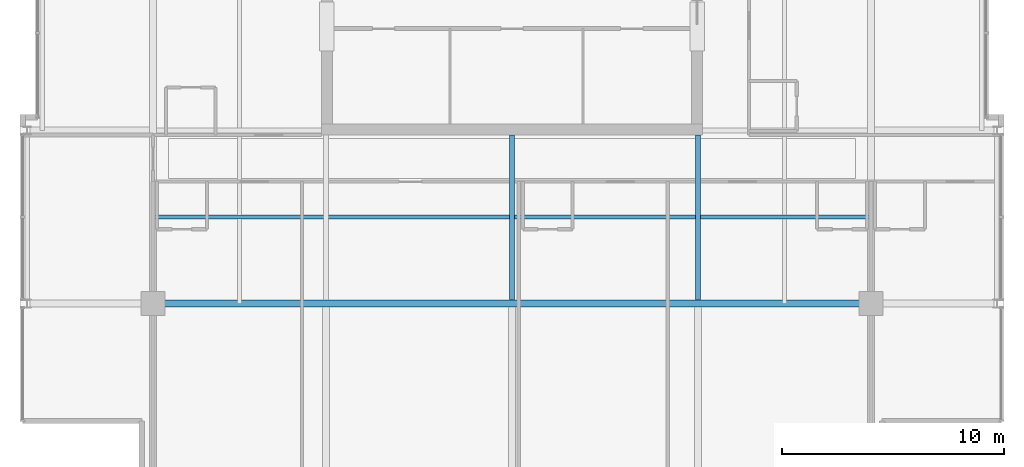
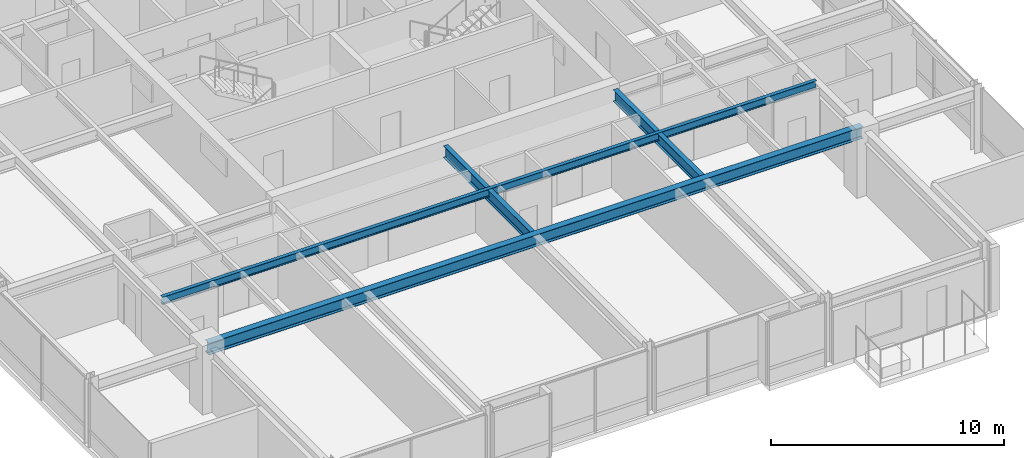
# One storey, part 9 of 31: 4 beams.
"""IFC4 building model written with IfcOpenShell, lengths in metres."""

from ifc_helpers import new_model, si_unit, direction, frame, origin, origin_2d, place, context, subcontext, project, spatial, i_section, extrude, material, material_profile, profile_set, type_object, element, save


model = new_model("IFC4")

# Units and contexts
model_context = context("Model", 3, precision=1e-05, world=origin(), true_north=direction((0.0, 1.0)))
body_context = subcontext(model_context, "Body", "Model", "MODEL_VIEW")
ifc_project = project(units=[si_unit("LENGTHUNIT", "METRE"), si_unit("AREAUNIT", "SQUARE_METRE"), si_unit("VOLUMEUNIT", "CUBIC_METRE"), si_unit("PLANEANGLEUNIT", "RADIAN"), si_unit("MASSUNIT", "GRAM", prefix="KILO")], contexts=[model_context])

# Site, building, storey
site_placement = place(None, origin())
site = spatial("IfcSite", under=ifc_project, at=site_placement, CompositionType="ELEMENT")
building_placement = place(site_placement, origin())
building = spatial("IfcBuilding", under=site, at=building_placement, Name="Drelvath Grand Hotel", CompositionType="ELEMENT")
storey_placement = place(building_placement, frame((0.0, 0.0, 244.699951171875)))
storey = spatial("IfcBuildingStorey", under=building, at=storey_placement, Name="L64", CompositionType="ELEMENT", Elevation=244.699951171875)

# Beams
ifc_material = material(Name="Steel ASTM A992 Gr 50", Category="steel")
ifc_material_profile_1 = material_profile(ifc_material, i_section(OverallWidth=0.177734375, OverallDepth=0.40673828125, WebThickness=0.0078125, FlangeThickness=0.0126953125, FilletRadius=0.014892578125, at=origin_2d()), Name="W16X40")
ifc_profile_set_1 = profile_set([ifc_material_profile_1], Name="Steel ASTM A992 Gr 50")
beam_type_1 = type_object("IfcBeamType", Name="Composite Floor Joist W16X40", PredefinedType="JOIST", material=ifc_profile_set_1)
beam_1_placement = place(storey_placement, frame((-16.199951171875, 14.699951171875, 3.13671875), z_axis=(1.0, 0.0, 0.0), x_axis=(0.0, 1.0, 0.0)))
element("IfcBeam", 1, at=beam_1_placement, inside=storey, type_object=beam_type_1, Name="L64 Floor Joist J1", PredefinedType="JOIST", context=body_context, shape_type="SweptSolid", body=[
    extrude(i_section(OverallWidth=0.177734375, OverallDepth=0.40673828125, WebThickness=0.0078125, FlangeThickness=0.0126953125, FilletRadius=0.014892578125, at=origin_2d()), origin(), (0.0, 0.0, 1.0), 32.39990234375),
])
ifc_material_profile_2 = material_profile(ifc_material, i_section(OverallWidth=0.323974609375, OverallDepth=0.611083984375, WebThickness=0.0126953125, FlangeThickness=0.01904296875, FilletRadius=0.02197265625, at=origin_2d()), Name="W24X104")
ifc_profile_set_2 = profile_set([ifc_material_profile_2], Name="Steel ASTM A992 Gr 50")
beam_type_2 = type_object("IfcBeamType", Name="Primary Floor Girder W24X104", PredefinedType="BEAM", material=ifc_profile_set_2)
beam_2_placement = place(storey_placement, frame((-16.199951171875, 10.800048828125, 3.034423828125), z_axis=(1.0, 0.0, 0.0), x_axis=(0.0, 1.0, 0.0)))
element("IfcBeam", 2, at=beam_2_placement, inside=storey, type_object=beam_type_2, Name="L64 Mega Ring Girder South", PredefinedType="BEAM", context=body_context, shape_type="SweptSolid", body=[
    extrude(i_section(OverallWidth=0.323974609375, OverallDepth=0.611083984375, WebThickness=0.0126953125, FlangeThickness=0.01904296875, FilletRadius=0.02197265625, at=origin_2d()), origin(), (0.0, 0.0, 1.0), 32.39990234375),
])
ifc_material_profile_3 = material_profile(ifc_material, i_section(OverallWidth=0.228271484375, OverallDepth=0.607666015625, WebThickness=0.01123046875, FlangeThickness=0.017333984375, FilletRadius=0.02001953125, at=origin_2d()), Name="W24X76")
ifc_profile_set_3 = profile_set([ifc_material_profile_3], Name="Steel ASTM A992 Gr 50")
beam_type_3 = type_object("IfcBeamType", Name="Primary Floor Girder W24X76", PredefinedType="BEAM", material=ifc_profile_set_3)
for number, where, z_axis, x_axis, name in (
    (3, (0.0, 10.9619140625, 3.0361328125), (0.0, 1.0, 0.0), (-1.0, 0.0, 0.0), "L64 South Core Tie 5"),
    (4, (8.39990234375, 10.9619140625, 3.0361328125), (0.0, 1.0, 0.0), (-1.0, 0.0, 0.0), "L64 South Core Tie 6"),
):
    element("IfcBeam", number, at=place(storey_placement, frame(where, z_axis=z_axis, x_axis=x_axis)), inside=storey, type_object=beam_type_3, Name=name, PredefinedType="BEAM", context=body_context, shape_type="SweptSolid", body=[
        extrude(i_section(OverallWidth=0.228271484375, OverallDepth=0.607666015625, WebThickness=0.01123046875, FlangeThickness=0.017333984375, FilletRadius=0.02001953125, at=origin_2d()), origin(), (0.0, 0.0, 1.0), 7.43798828125),
    ])

save(model, "model.ifc")
